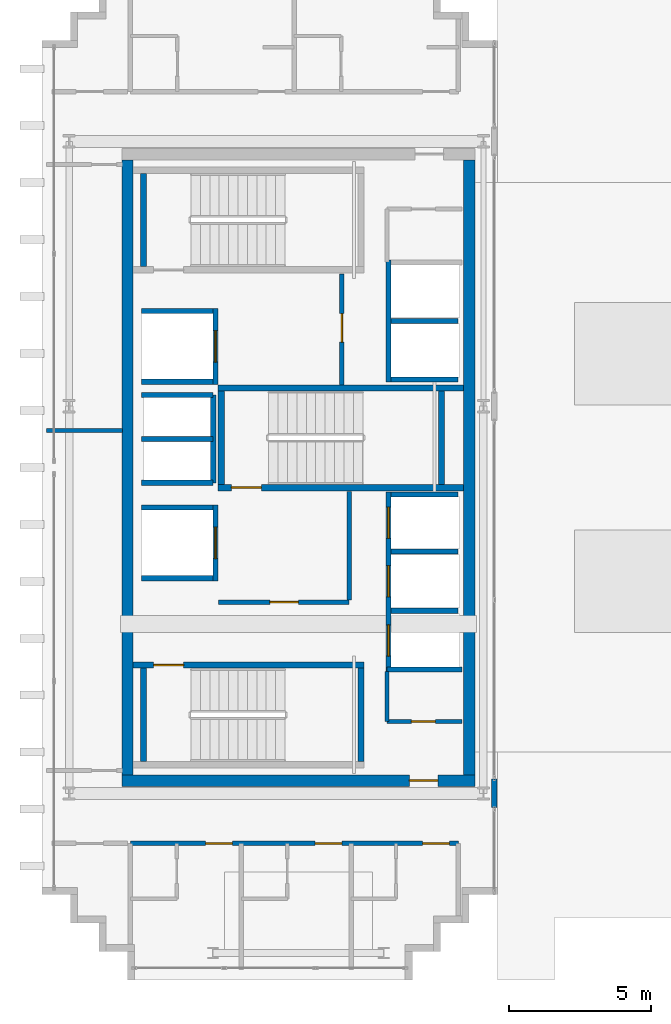
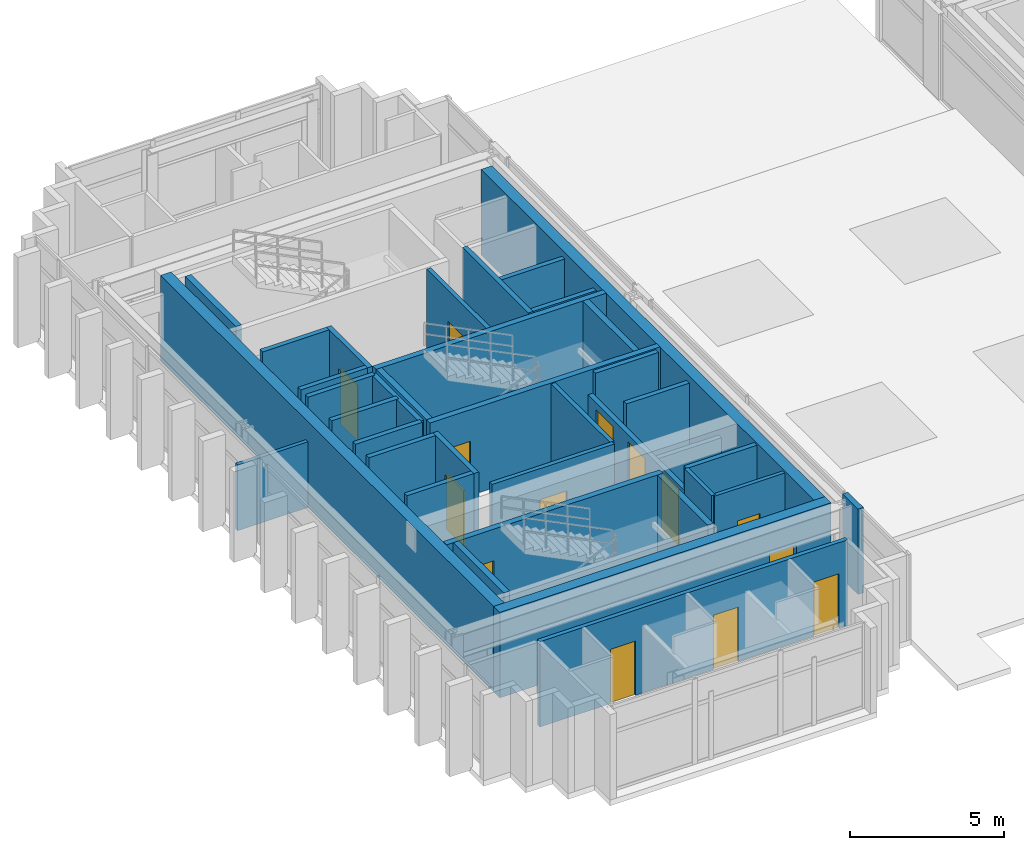
# One storey, part 20 of 25: 37 walls, 14 doors, 14 openings.
"""IFC4 building model written with IfcOpenShell, lengths in metres."""

from ifc_helpers import new_model, si_unit, direction, frame, frame_2d, origin, place, context, subcontext, project, spatial, rectangle, extrude, source, transform, mapped, material, layer, layer_set, type_object, element, fill, save


model = new_model("IFC4")

# Units and contexts
model_context = context("Model", 3, precision=1e-05, world=origin(), true_north=direction((0.0, 1.0)))
body_context = subcontext(model_context, "Body", "Model", "MODEL_VIEW")
ifc_project = project(units=[si_unit("LENGTHUNIT", "METRE"), si_unit("AREAUNIT", "SQUARE_METRE"), si_unit("VOLUMEUNIT", "CUBIC_METRE"), si_unit("PLANEANGLEUNIT", "RADIAN"), si_unit("MASSUNIT", "GRAM", prefix="KILO")], contexts=[model_context])

# Site, building, storey
site_placement = place(None, origin())
site = spatial("IfcSite", under=ifc_project, at=site_placement, CompositionType="ELEMENT")
building_placement = place(site_placement, origin())
building = spatial("IfcBuilding", under=site, at=building_placement, Name="Ocotamira Hotel", CompositionType="ELEMENT")
storey_placement = place(building_placement, frame((0.0, 0.0, 250.800048828125)))
storey = spatial("IfcBuildingStorey", under=building, at=storey_placement, Name="L63", CompositionType="ELEMENT", Elevation=250.800048828125)

# Wall, opening, door
ifc_material_1 = material(Name="Concrete C50/60", Category="concrete")
ifc_layer_1 = layer(ifc_material_1, 0.39990234375)
ifc_layer_set_1 = layer_set([ifc_layer_1], Name="Concrete C50/60")
wall_type_1 = type_object("IfcWallType", Name="WL-CORE-400", PredefinedType="SHEAR", material=ifc_layer_set_1)
wall_1_placement = place(storey_placement, frame((10.800048828125, 15.0, 0.0), z_axis=(0.0, 0.0, 1.0), x_axis=(1.0, 0.0, 0.0)))
wall_1 = element("IfcWall", 1, at=wall_1_placement, inside=storey, type_object=wall_type_1, Name="L63 Shear Core Wall WCORE-S", PredefinedType="SHEAR", context=body_context, shape_type="SweptSolid", body=[
    extrude(rectangle(XDim=12.39990234375, YDim=0.39990234375, at=frame_2d((6.199951171875, 0.0))), origin(), (0.0, 0.0, 1.0), 3.3798828125),
])
opening_1_placement = place(wall_1_placement, frame((10.10009765625, 0.0, 0.0)))
opening_1 = element("IfcOpeningElement", 2, at=opening_1_placement, cuts=wall_1, Name="Opening D-FR2", PredefinedType="OPENING", context=body_context, shape_type="SweptSolid", body=[
    extrude(rectangle(XDim=1.0, YDim=2.14990234375, at=frame_2d((0.5, 1.074951171875))), frame((0.0, 0.2099609375, 0.0), z_axis=(0.0, -1.0, 0.0), x_axis=(1.0, 0.0, 0.0)), (0.0, 0.0, 1.0), 0.419921875),
])
ifc_material_2 = material(Name="Fire-rated acoustic timber-veneer door", Category="wood")
door_type_1 = type_object("IfcDoorType", Name="DR-FIRE-1000", OperationType="NOTDEFINED", PredefinedType="DOOR", material=ifc_material_2)
shared_shape_1 = source(origin(), body_context, "Body", "SweptSolid", [
    extrude(rectangle(XDim=1.0, YDim=2.14990234375, at=frame_2d((0.5, 1.074951171875))), frame((0.0, 0.02490234375, 0.0), z_axis=(0.0, -1.0, 0.0), x_axis=(1.0, 0.0, 0.0)), (0.0, 0.0, 1.0), 0.050048828125),
])
door_1_placement = place(opening_1_placement, origin())
door_1 = element("IfcDoor", 3, at=door_1_placement, inside=storey, type_object=door_type_1, Name="L63 Door ID-L63-WLOB-S-D [ID-L63-WLOB-S-D]", OperationType="SINGLE_SWING_LEFT", OverallHeight=2.14990234375, OverallWidth=1.0, PredefinedType="DOOR", context=body_context, shape_type="MappedRepresentation", body=[
    mapped(shared_shape_1, transform((0.0, 0.0, 0.0), scale=1.0)),
])
fill(opening_1, door_1)

# Walls
for number, where, z_axis, x_axis, name in (
    (4, (11.0, 15.199951171875, 0.0), (0.0, 0.0, 1.0), (0.0, 1.0, 0.0), "L63 Shear Core Wall WCORE-W"),
    (5, (23.0, 15.199951171875, 0.0), (0.0, 0.0, 1.0), (0.0, 1.0, 0.0), "L63 Shear Core Wall WCORE-E"),
):
    element("IfcWall", number, at=place(storey_placement, frame(where, z_axis=z_axis, x_axis=x_axis)), inside=storey, type_object=wall_type_1, Name=name, PredefinedType="SHEAR", context=body_context, shape_type="SweptSolid", body=[
        extrude(rectangle(XDim=21.60009765625, YDim=0.39990234375, at=frame_2d((10.800048828125, 0.0))), origin(), (0.0, 0.0, 1.0), 3.3798828125),
    ])

# Wall, opening, door
ifc_material_3 = material(Name="Acoustic double-layer fire gypsum board partition", Category="gypsum")
ifc_layer_2 = layer(ifc_material_3, 0.159912109375)
ifc_layer_set_2 = layer_set([ifc_layer_2], Name="Acoustic double-layer fire gypsum board partition")
wall_type_2 = type_object("IfcWallType", Name="WL-FIRE-160", PredefinedType="PARTITIONING", material=ifc_layer_set_2)
wall_2_placement = place(storey_placement, frame((14.199951171875, 21.27001953125, 0.0), z_axis=(0.0, 0.0, 1.0), x_axis=(1.0, 0.0, 0.0)))
wall_2 = element("IfcWall", 6, at=wall_2_placement, inside=storey, type_object=wall_type_2, Name="L63 Interior Wall PW-L63-FSAE1-S", PredefinedType="PARTITIONING", context=body_context, shape_type="SweptSolid", body=[
    extrude(rectangle(XDim=4.580078125, YDim=0.159912109375, at=frame_2d((2.2900390625, 0.0))), origin(), (0.0, 0.0, 1.0), 3.3798828125),
])
opening_2_placement = place(wall_2_placement, frame((1.800048828125, 0.0, 0.0)))
opening_2 = element("IfcOpeningElement", 7, at=opening_2_placement, cuts=wall_2, Name="Opening D-FR2", PredefinedType="OPENING", context=body_context, shape_type="SweptSolid", body=[
    extrude(rectangle(XDim=1.0, YDim=2.14990234375, at=frame_2d((0.5, 1.074951171875))), frame((0.0, 0.08984375, 0.0), z_axis=(0.0, -1.0, 0.0), x_axis=(1.0, 0.0, 0.0)), (0.0, 0.0, 1.0), 0.179931640625),
])
door_2_placement = place(opening_2_placement, origin())
door_2 = element("IfcDoor", 8, at=door_2_placement, inside=storey, type_object=door_type_1, Name="L63 Door ID-L63-FSAE1-D [ID-L63-FSAE1-D]", OperationType="SINGLE_SWING_LEFT", OverallHeight=2.14990234375, OverallWidth=1.0, PredefinedType="DOOR", context=body_context, shape_type="MappedRepresentation", body=[
    mapped(shared_shape_1, transform((0.0, 0.0, 0.0), scale=1.0)),
])
fill(opening_2, door_2)

# Wall
wall_3_placement = place(storey_placement, frame((18.780029296875, 21.35009765625, 0.0), z_axis=(0.0, 0.0, 1.0), x_axis=(0.0, 1.0, 0.0)))
element("IfcWall", 9, at=wall_3_placement, inside=storey, type_object=wall_type_2, Name="L63 Interior Wall PW-L63-FSAE1-E", PredefinedType="PARTITIONING", context=body_context, shape_type="SweptSolid", body=[
    extrude(rectangle(XDim=3.809814453125, YDim=0.159912109375, at=frame_2d((1.90478515625, 0.0))), origin(), (0.0, 0.0, 1.0), 3.3798828125),
])

# Wall, opening, door
wall_4_placement = place(storey_placement, frame((18.530029296875, 28.89990234375, 0.0), z_axis=(0.0, 0.0, 1.0), x_axis=(0.0, 1.0, 0.0)))
wall_4 = element("IfcWall", 10, at=wall_4_placement, inside=storey, type_object=wall_type_2, Name="L63 Interior Wall PW-L63-FSAE2-E", PredefinedType="PARTITIONING", context=body_context, shape_type="SweptSolid", body=[
    extrude(rectangle(XDim=3.900146484375, YDim=0.159912109375, at=frame_2d((1.9501953125, 0.0))), origin(), (0.0, 0.0, 1.0), 3.3798828125),
])
opening_3_placement = place(wall_4_placement, frame((1.5, 0.0, 0.0)))
opening_3 = element("IfcOpeningElement", 11, at=opening_3_placement, cuts=wall_4, Name="Opening D-FR2", PredefinedType="OPENING", context=body_context, shape_type="SweptSolid", body=[
    extrude(rectangle(XDim=1.0, YDim=2.14990234375, at=frame_2d((0.5, 1.074951171875))), frame((0.0, 0.08984375, 0.0), z_axis=(0.0, -1.0, 0.0), x_axis=(1.0, 0.0, 0.0)), (0.0, 0.0, 1.0), 0.179931640625),
])
door_3_placement = place(opening_3_placement, origin())
door_3 = element("IfcDoor", 12, at=door_3_placement, inside=storey, type_object=door_type_1, Name="L63 Door ID-L63-FSAE2-D [ID-L63-FSAE2-D]", OperationType="SINGLE_SWING_RIGHT", OverallHeight=2.14990234375, OverallWidth=1.0, PredefinedType="DOOR", context=body_context, shape_type="MappedRepresentation", body=[
    mapped(shared_shape_1, transform((0.0, 0.0, 0.0), scale=1.0)),
])
fill(opening_3, door_3)

# Wall, openings, doors
wall_5_placement = place(storey_placement, frame((11.10009765625, 12.800048828125, 0.0), z_axis=(0.0, 0.0, 1.0), x_axis=(1.0, 0.0, 0.0)))
wall_5 = element("IfcWall", 13, at=wall_5_placement, inside=storey, type_object=wall_type_2, Name="L63 Interior Wall PW-L63-SPW0S-CORRW", PredefinedType="PARTITIONING", context=body_context, shape_type="SweptSolid", body=[
    extrude(rectangle(XDim=11.52001953125, YDim=0.159912109375, at=frame_2d((5.760009765625, 0.0))), origin(), (0.0, 0.0, 1.0), 3.3798828125),
])
opening_4_placement = place(wall_5_placement, frame((2.639892578125, 0.0, 0.0)))
opening_4 = element("IfcOpeningElement", 14, at=opening_4_placement, cuts=wall_5, Name="Opening D-GR1", PredefinedType="OPENING", context=body_context, shape_type="SweptSolid", body=[
    extrude(rectangle(XDim=0.93994140625, YDim=2.14990234375, at=frame_2d((0.469970703125, 1.074951171875))), frame((0.0, 0.08984375, 0.0), z_axis=(0.0, -1.0, 0.0), x_axis=(1.0, 0.0, 0.0)), (0.0, 0.0, 1.0), 0.179931640625),
])
opening_5_placement = place(wall_5_placement, frame((6.489990234375, 0.0, 0.0)))
opening_5 = element("IfcOpeningElement", 15, at=opening_5_placement, cuts=wall_5, Name="Opening D-GR1", PredefinedType="OPENING", context=body_context, shape_type="SweptSolid", body=[
    extrude(rectangle(XDim=0.93994140625, YDim=2.14990234375, at=frame_2d((0.469970703125, 1.074951171875))), frame((0.0, 0.08984375, 0.0), z_axis=(0.0, -1.0, 0.0), x_axis=(1.0, 0.0, 0.0)), (0.0, 0.0, 1.0), 0.179931640625),
])
opening_6_placement = place(wall_5_placement, frame((10.260009765625, 0.0, 0.0)))
opening_6 = element("IfcOpeningElement", 16, at=opening_6_placement, cuts=wall_5, Name="Opening D-GR1", PredefinedType="OPENING", context=body_context, shape_type="SweptSolid", body=[
    extrude(rectangle(XDim=0.93994140625, YDim=2.14990234375, at=frame_2d((0.469970703125, 1.074951171875))), frame((0.0, 0.08984375, 0.0), z_axis=(0.0, -1.0, 0.0), x_axis=(1.0, 0.0, 0.0)), (0.0, 0.0, 1.0), 0.179931640625),
])
ifc_material_4 = material(Name="Solid-core walnut suite entrance fire door", Category="wood")
door_type_2 = type_object("IfcDoorType", Name="DR-GUEST-940", OperationType="NOTDEFINED", PredefinedType="DOOR", material=ifc_material_4)
shared_shape_2 = source(origin(), body_context, "Body", "SweptSolid", [
    extrude(rectangle(XDim=0.93994140625, YDim=2.14990234375, at=frame_2d((0.469970703125, 1.074951171875))), frame((0.0, 0.02490234375, 0.0), z_axis=(0.0, -1.0, 0.0), x_axis=(1.0, 0.0, 0.0)), (0.0, 0.0, 1.0), 0.050048828125),
])
door_4_placement = place(opening_4_placement, origin())
door_4 = element("IfcDoor", 17, at=door_4_placement, inside=storey, type_object=door_type_2, Name="L63 Door ID-L63-SPW0S-RMD1 [ID-L63-SPW0S-RMD1]", OperationType="SINGLE_SWING_LEFT", OverallHeight=2.14990234375, OverallWidth=0.93994140625, PredefinedType="DOOR", context=body_context, shape_type="MappedRepresentation", body=[
    mapped(shared_shape_2, transform((0.0, 0.0, 0.0), scale=1.0)),
])
fill(opening_4, door_4)
door_5_placement = place(opening_5_placement, origin())
door_5 = element("IfcDoor", 18, at=door_5_placement, inside=storey, type_object=door_type_2, Name="L63 Door ID-L63-SPW0S-RMD2 [ID-L63-SPW0S-RMD2]", OperationType="SINGLE_SWING_RIGHT", OverallHeight=2.14990234375, OverallWidth=0.93994140625, PredefinedType="DOOR", context=body_context, shape_type="MappedRepresentation", body=[
    mapped(shared_shape_2, transform((0.0, 0.0, 0.0), scale=1.0)),
])
fill(opening_5, door_5)
door_6_placement = place(opening_6_placement, origin())
door_6 = element("IfcDoor", 19, at=door_6_placement, inside=storey, type_object=door_type_2, Name="L63 Door ID-L63-SPW0S-RMD3 [ID-L63-SPW0S-RMD3]", OperationType="SINGLE_SWING_LEFT", OverallHeight=2.14990234375, OverallWidth=0.93994140625, PredefinedType="DOOR", context=body_context, shape_type="MappedRepresentation", body=[
    mapped(shared_shape_2, transform((0.0, 0.0, 0.0), scale=1.0)),
])
fill(opening_6, door_6)

# Walls
ifc_material_5 = material(Name="Precast concrete C45/55", Category="concrete")
ifc_layer_3 = layer(ifc_material_5, 0.219970703125)
ifc_layer_set_3 = layer_set([ifc_layer_3], Name="Precast concrete C45/55")
wall_type_3 = type_object("IfcWallType", Name="WL-PARA-220", PredefinedType="PARAPET", material=ifc_layer_set_3)
wall_6_placement = place(storey_placement, frame((23.8798828125, 14.050048828125, 0.0), z_axis=(0.0, 0.0, 1.0), x_axis=(0.0, 1.0, 0.0)))
element("IfcWall", 20, at=wall_6_placement, inside=storey, type_object=wall_type_3, Name="L63 Split-Wing Column Spandrel Closure W1", PredefinedType="PARAPET", context=body_context, shape_type="SweptSolid", body=[
    extrude(rectangle(XDim=1.0, YDim=0.199951171875, at=frame_2d((0.5, 0.0))), origin(), (0.0, 0.0, 1.0), 3.3798828125),
])
ifc_material_6 = material(Name="Acoustic hospitality gypsum board partition", Category="gypsum")
ifc_layer_4 = layer(ifc_material_6, 0.14208984375)
ifc_layer_set_4 = layer_set([ifc_layer_4], Name="Acoustic hospitality gypsum board partition")
wall_type_4 = type_object("IfcWallType", Name="WL-PART-142", PredefinedType="PARTITIONING", material=ifc_layer_set_4)
wall_7_placement = place(storey_placement, frame((20.1201171875, 17.080078125, 0.0), z_axis=(0.0, 0.0, 1.0), x_axis=(0.0, 1.0, 0.0)))
element("IfcWall", 21, at=wall_7_placement, inside=storey, type_object=wall_type_4, Name="L63 Interior Wall PW-L63-WC-SE-W2", PredefinedType="PARTITIONING", context=body_context, shape_type="SweptSolid", body=[
    extrude(rectangle(XDim=1.760009765625, YDim=0.14208984375, at=frame_2d((0.8798828125, 0.0))), origin(), (0.0, 0.0, 1.0), 3.3798828125),
])

# Wall, opening, door
wall_8_placement = place(storey_placement, frame((20.1201171875, 17.080078125, 0.0), z_axis=(0.0, 0.0, 1.0), x_axis=(1.0, 0.0, 0.0)))
wall_8 = element("IfcWall", 22, at=wall_8_placement, inside=storey, type_object=wall_type_4, Name="L63 Interior Wall PW-L63-WC-SE-S2", PredefinedType="PARTITIONING", context=body_context, shape_type="SweptSolid", body=[
    extrude(rectangle(XDim=2.6298828125, YDim=0.14208984375, at=frame_2d((1.31494140625, 0.0))), origin(), (0.0, 0.0, 1.0), 3.3798828125),
])
opening_7_placement = place(wall_8_placement, frame((0.85009765625, 0.0, 0.0)))
opening_7 = element("IfcOpeningElement", 23, at=opening_7_placement, cuts=wall_8, Name="Opening D-SV1", PredefinedType="OPENING", context=body_context, shape_type="SweptSolid", body=[
    extrude(rectangle(XDim=0.840087890625, YDim=2.10009765625, at=frame_2d((0.419921875, 1.050048828125))), frame((0.0, 0.0810546875, 0.0), z_axis=(0.0, -1.0, 0.0), x_axis=(1.0, 0.0, 0.0)), (0.0, 0.0, 1.0), 0.162109375),
])
ifc_material_7 = material(Name="Fire-rated painted steel service door", Category="steel")
door_type_3 = type_object("IfcDoorType", Name="DR-SERV-840", OperationType="NOTDEFINED", PredefinedType="DOOR", material=ifc_material_7)
shared_shape_3 = source(origin(), body_context, "Body", "SweptSolid", [
    extrude(rectangle(XDim=0.840087890625, YDim=2.10009765625, at=frame_2d((0.419921875, 1.050048828125))), frame((0.0, 0.02490234375, 0.0), z_axis=(0.0, -1.0, 0.0), x_axis=(1.0, 0.0, 0.0)), (0.0, 0.0, 1.0), 0.050048828125),
])
door_7_placement = place(opening_7_placement, origin())
door_7 = element("IfcDoor", 24, at=door_7_placement, inside=storey, type_object=door_type_3, Name="L63 Door ID-L63-WC-SE-D2 [ID-L63-WC-SE-D2]", OperationType="SINGLE_SWING_LEFT", OverallHeight=2.10009765625, OverallWidth=0.840087890625, PredefinedType="DOOR", context=body_context, shape_type="MappedRepresentation", body=[
    mapped(shared_shape_3, transform((0.0, 0.0, 0.0), scale=1.0)),
])
fill(opening_7, door_7)

# Wall
wall_9_placement = place(storey_placement, frame((8.159912109375, 27.300048828125, 0.0), z_axis=(0.0, 0.0, 1.0), x_axis=(1.0, 0.0, 0.0)))
element("IfcWall", 25, at=wall_9_placement, inside=storey, type_object=wall_type_4, Name="L63 Interior Wall PW-L63-SP0W-DV1", PredefinedType="PARTITIONING", context=body_context, shape_type="SweptSolid", body=[
    extrude(rectangle(XDim=2.66015625, YDim=0.14208984375, at=frame_2d((1.330078125, 0.0))), origin(), (0.0, 0.0, 1.0), 2.600830078125),
])

# Wall, openings, doors
ifc_material_8 = material(Name="Fire-rated gypsum shaftliner board assembly", Category="gypsum")
ifc_layer_5 = layer(ifc_material_8, 0.179931640625)
ifc_layer_set_5 = layer_set([ifc_layer_5], Name="Fire-rated gypsum shaftliner board assembly")
wall_type_5 = type_object("IfcWallType", Name="WL-SHAFT-180", PredefinedType="SOLIDWALL", material=ifc_layer_set_5)
wall_10_placement = place(storey_placement, frame((20.159912109375, 18.820068359375, 0.0), z_axis=(0.0, 0.0, 1.0), x_axis=(0.0, 1.0, 0.0)))
wall_10 = element("IfcWall", 26, at=wall_10_placement, inside=storey, type_object=wall_type_5, Name="L63 Interior Wall PW-L63-LFW-BANK-high-F", PredefinedType="SOLIDWALL", context=body_context, shape_type="SweptSolid", body=[
    extrude(rectangle(XDim=6.31982421875, YDim=0.179931640625, at=frame_2d((3.159912109375, 0.0))), origin(), (0.0, 0.0, 1.0), 2.47998046875),
])
opening_8_placement = place(wall_10_placement, frame((0.554931640625, 0.0, 0.0)))
opening_8 = element("IfcOpeningElement", 27, at=opening_8_placement, cuts=wall_10, Name="Opening LD-LF-P7", PredefinedType="OPENING", context=body_context, shape_type="SweptSolid", body=[
    extrude(rectangle(XDim=1.10009765625, YDim=2.199951171875, at=frame_2d((0.550048828125, 1.10009765625))), frame((0.0, 0.10009765625, 0.0), z_axis=(0.0, -1.0, 0.0), x_axis=(1.0, 0.0, 0.0)), (0.0, 0.0, 1.0), 0.199951171875),
])
opening_9_placement = place(wall_10_placement, frame((2.635009765625, 0.0, 0.0)))
opening_9 = element("IfcOpeningElement", 28, at=opening_9_placement, cuts=wall_10, Name="Opening LD-LF-P8", PredefinedType="OPENING", context=body_context, shape_type="SweptSolid", body=[
    extrude(rectangle(XDim=1.10009765625, YDim=2.199951171875, at=frame_2d((0.550048828125, 1.10009765625))), frame((0.0, 0.10009765625, 0.0), z_axis=(0.0, -1.0, 0.0), x_axis=(1.0, 0.0, 0.0)), (0.0, 0.0, 1.0), 0.199951171875),
])
opening_10_placement = place(wall_10_placement, frame((4.68994140625, 0.0, 0.0)))
opening_10 = element("IfcOpeningElement", 29, at=opening_10_placement, cuts=wall_10, Name="Opening LD-LF-P9", PredefinedType="OPENING", context=body_context, shape_type="SweptSolid", body=[
    extrude(rectangle(XDim=1.10009765625, YDim=2.199951171875, at=frame_2d((0.550048828125, 1.10009765625))), frame((0.0, 0.10009765625, 0.0), z_axis=(0.0, -1.0, 0.0), x_axis=(1.0, 0.0, 0.0)), (0.0, 0.0, 1.0), 0.199951171875),
])
ifc_material_9 = material(Name="Brushed pale-metal stainless elevator landing door", Category="steel")
door_type_4 = type_object("IfcDoorType", Name="DR-LIFT-1100", OperationType="NOTDEFINED", PredefinedType="DOOR", material=ifc_material_9)
shared_shape_4 = source(origin(), body_context, "Body", "SweptSolid", [
    extrude(rectangle(XDim=1.10009765625, YDim=2.199951171875, at=frame_2d((0.550048828125, 1.10009765625))), frame((0.0, 0.02490234375, 0.0), z_axis=(0.0, -1.0, 0.0), x_axis=(1.0, 0.0, 0.0)), (0.0, 0.0, 1.0), 0.050048828125),
])
door_8_placement = place(opening_8_placement, origin())
door_8 = element("IfcDoor", 30, at=door_8_placement, inside=storey, type_object=door_type_4, Name="L63 Landing Door LD-LF-P7 [ID-L63-LD-LF-P7]", OperationType="DOUBLE_DOOR_SLIDING", OverallHeight=2.199951171875, OverallWidth=1.10009765625, PredefinedType="DOOR", context=body_context, shape_type="MappedRepresentation", body=[
    mapped(shared_shape_4, transform((0.0, 0.0, 0.0), scale=1.0)),
])
fill(opening_8, door_8)
door_9_placement = place(opening_9_placement, origin())
door_9 = element("IfcDoor", 31, at=door_9_placement, inside=storey, type_object=door_type_4, Name="L63 Landing Door LD-LF-P8 [ID-L63-LD-LF-P8]", OperationType="DOUBLE_DOOR_SLIDING", OverallHeight=2.199951171875, OverallWidth=1.10009765625, PredefinedType="DOOR", context=body_context, shape_type="MappedRepresentation", body=[
    mapped(shared_shape_4, transform((0.0, 0.0, 0.0), scale=1.0)),
])
fill(opening_9, door_9)
door_10_placement = place(opening_10_placement, origin())
door_10 = element("IfcDoor", 32, at=door_10_placement, inside=storey, type_object=door_type_4, Name="L63 Landing Door LD-LF-P9 [ID-L63-LD-LF-P9]", OperationType="DOUBLE_DOOR_SLIDING", OverallHeight=2.199951171875, OverallWidth=1.10009765625, PredefinedType="DOOR", context=body_context, shape_type="MappedRepresentation", body=[
    mapped(shared_shape_4, transform((0.0, 0.0, 0.0), scale=1.0)),
])
fill(opening_10, door_10)

# Walls
wall_11_placement = place(storey_placement, frame((20.1201171875, 18.909912109375, 0.0), z_axis=(0.0, 0.0, 1.0), x_axis=(1.0, 0.0, 0.0)))
element("IfcWall", 33, at=wall_11_placement, inside=storey, type_object=wall_type_5, Name="L63 Interior Wall PW-L63-LFW-BANK-high-S", PredefinedType="SOLIDWALL", context=body_context, shape_type="SweptSolid", body=[
    extrude(rectangle(XDim=2.6298828125, YDim=0.179931640625, at=frame_2d((1.31494140625, 0.0))), origin(), (0.0, 0.0, 1.0), 3.3798828125),
])
wall_12_placement = place(storey_placement, frame((20.25, 25.050048828125, 0.0), z_axis=(0.0, 0.0, 1.0), x_axis=(1.0, 0.0, 0.0)))
element("IfcWall", 34, at=wall_12_placement, inside=storey, type_object=wall_type_5, Name="L63 Interior Wall PW-L63-LFW-BANK-high-N", PredefinedType="SOLIDWALL", context=body_context, shape_type="SweptSolid", body=[
    extrude(rectangle(XDim=2.360107421875, YDim=0.179931640625, at=frame_2d((1.18017578125, 0.0))), origin(), (0.0, 0.0, 1.0), 3.3798828125),
])
wall_13_placement = place(storey_placement, frame((20.25, 20.965087890625, 0.0), z_axis=(0.0, 0.0, 1.0), x_axis=(1.0, 0.0, 0.0)))
element("IfcWall", 35, at=wall_13_placement, inside=storey, type_object=wall_type_5, Name="L63 Interior Wall PW-L63-LFW-DIV-LF-P7", PredefinedType="SOLIDWALL", context=body_context, shape_type="SweptSolid", body=[
    extrude(rectangle(XDim=2.360107421875, YDim=0.179931640625, at=frame_2d((1.18017578125, 0.0))), origin(), (0.0, 0.0, 1.0), 2.47998046875),
])
wall_14_placement = place(storey_placement, frame((20.25, 23.044921875, 0.0), z_axis=(0.0, 0.0, 1.0), x_axis=(1.0, 0.0, 0.0)))
element("IfcWall", 36, at=wall_14_placement, inside=storey, type_object=wall_type_5, Name="L63 Interior Wall PW-L63-LFW-DIV-LF-P8", PredefinedType="SOLIDWALL", context=body_context, shape_type="SweptSolid", body=[
    extrude(rectangle(XDim=2.360107421875, YDim=0.179931640625, at=frame_2d((1.18017578125, 0.0))), origin(), (0.0, 0.0, 1.0), 3.3798828125),
])
wall_15_placement = place(storey_placement, frame((20.159912109375, 29.0, 0.0), z_axis=(0.0, 0.0, 1.0), x_axis=(0.0, 1.0, 0.0)))
element("IfcWall", 37, at=wall_15_placement, inside=storey, type_object=wall_type_5, Name="L63 Interior Wall PW-L63-LFW-BANK-obs-F", PredefinedType="SOLIDWALL", context=body_context, shape_type="SweptSolid", body=[
    extrude(rectangle(XDim=4.2900390625, YDim=0.179931640625, at=frame_2d((2.14501953125, 0.0))), origin(), (0.0, 0.0, 1.0), 3.3798828125),
])
for number, where, z_axis, x_axis, name in (
    (38, (20.25, 29.090087890625, 0.0), (0.0, 0.0, 1.0), (1.0, 0.0, 0.0), "L63 Interior Wall PW-L63-LFW-BANK-obs-S"),
    (39, (20.25, 31.14501953125, 0.0), (0.0, 0.0, 1.0), (1.0, 0.0, 0.0), "L63 Interior Wall PW-L63-LFW-DIV-LF-OBS1"),
):
    element("IfcWall", number, at=place(storey_placement, frame(where, z_axis=z_axis, x_axis=x_axis)), inside=storey, type_object=wall_type_5, Name=name, PredefinedType="SOLIDWALL", context=body_context, shape_type="SweptSolid", body=[
        extrude(rectangle(XDim=2.360107421875, YDim=0.179931640625, at=frame_2d((1.18017578125, 0.0))), origin(), (0.0, 0.0, 1.0), 3.3798828125),
    ])
for number, where, z_axis, x_axis, name in (
    (40, (11.5, 22.110107421875, 0.0), (0.0, 0.0, 1.0), (1.0, 0.0, 0.0), "L63 Interior Wall PW-L63-LFW-LF-FSAE1-S"),
    (41, (11.5, 24.590087890625, 0.0), (0.0, 0.0, 1.0), (1.0, 0.0, 0.0), "L63 Interior Wall PW-L63-LFW-LF-FSAE1-N"),
):
    element("IfcWall", number, at=place(storey_placement, frame(where, z_axis=z_axis, x_axis=x_axis)), inside=storey, type_object=wall_type_5, Name=name, PredefinedType="SOLIDWALL", context=body_context, shape_type="SweptSolid", body=[
        extrude(rectangle(XDim=2.5, YDim=0.179931640625, at=frame_2d((1.25, 0.0))), origin(), (0.0, 0.0, 1.0), 3.3798828125),
    ])

# Wall, opening, door
wall_16_placement = place(storey_placement, frame((14.090087890625, 22.02001953125, 0.0), z_axis=(0.0, 0.0, 1.0), x_axis=(0.0, 1.0, 0.0)))
wall_16 = element("IfcWall", 42, at=wall_16_placement, inside=storey, type_object=wall_type_5, Name="L63 Interior Wall PW-L63-LFW-LF-FSAE1-E", PredefinedType="SOLIDWALL", context=body_context, shape_type="SweptSolid", body=[
    extrude(rectangle(XDim=2.659912109375, YDim=0.179931640625, at=frame_2d((1.330078125, 0.0))), origin(), (0.0, 0.0, 1.0), 3.3798828125),
])
opening_11_placement = place(wall_16_placement, frame((0.780029296875, 0.0, 0.0)))
opening_11 = element("IfcOpeningElement", 43, at=opening_11_placement, cuts=wall_16, Name="Opening LD-LF-FSAE1", PredefinedType="OPENING", context=body_context, shape_type="SweptSolid", body=[
    extrude(rectangle(XDim=1.10009765625, YDim=2.199951171875, at=frame_2d((0.550048828125, 1.10009765625))), frame((0.0, 0.10009765625, 0.0), z_axis=(0.0, -1.0, 0.0), x_axis=(1.0, 0.0, 0.0)), (0.0, 0.0, 1.0), 0.199951171875),
])
door_11_placement = place(opening_11_placement, origin())
door_11 = element("IfcDoor", 44, at=door_11_placement, inside=storey, type_object=door_type_4, Name="L63 Landing Door LD-LF-FSAE1 [ID-L63-LD-LF-FSAE1]", OperationType="DOUBLE_DOOR_SLIDING", OverallHeight=2.199951171875, OverallWidth=1.10009765625, PredefinedType="DOOR", context=body_context, shape_type="MappedRepresentation", body=[
    mapped(shared_shape_4, transform((0.0, 0.0, 0.0), scale=1.0)),
])
fill(opening_11, door_11)

# Walls
for number, where, z_axis, x_axis, name in (
    (45, (11.5, 29.010009765625, 0.0), (0.0, 0.0, 1.0), (1.0, 0.0, 0.0), "L63 Interior Wall PW-L63-LFW-LF-FSAE2-S"),
    (46, (11.5, 31.489990234375, 0.0), (0.0, 0.0, 1.0), (1.0, 0.0, 0.0), "L63 Interior Wall PW-L63-LFW-LF-FSAE2-N"),
):
    element("IfcWall", number, at=place(storey_placement, frame(where, z_axis=z_axis, x_axis=x_axis)), inside=storey, type_object=wall_type_5, Name=name, PredefinedType="SOLIDWALL", context=body_context, shape_type="SweptSolid", body=[
        extrude(rectangle(XDim=2.5, YDim=0.179931640625, at=frame_2d((1.25, 0.0))), origin(), (0.0, 0.0, 1.0), 3.3798828125),
    ])

# Wall, opening, door
wall_17_placement = place(storey_placement, frame((14.090087890625, 28.919921875, 0.0), z_axis=(0.0, 0.0, 1.0), x_axis=(0.0, 1.0, 0.0)))
wall_17 = element("IfcWall", 47, at=wall_17_placement, inside=storey, type_object=wall_type_5, Name="L63 Interior Wall PW-L63-LFW-LF-FSAE2-E", PredefinedType="SOLIDWALL", context=body_context, shape_type="SweptSolid", body=[
    extrude(rectangle(XDim=2.66015625, YDim=0.179931640625, at=frame_2d((1.330078125, 0.0))), origin(), (0.0, 0.0, 1.0), 3.3798828125),
])
opening_12_placement = place(wall_17_placement, frame((0.780029296875, 0.0, 0.0)))
opening_12 = element("IfcOpeningElement", 48, at=opening_12_placement, cuts=wall_17, Name="Opening LD-LF-FSAE2", PredefinedType="OPENING", context=body_context, shape_type="SweptSolid", body=[
    extrude(rectangle(XDim=1.10009765625, YDim=2.199951171875, at=frame_2d((0.550048828125, 1.10009765625))), frame((0.0, 0.10009765625, 0.0), z_axis=(0.0, -1.0, 0.0), x_axis=(1.0, 0.0, 0.0)), (0.0, 0.0, 1.0), 0.199951171875),
])
door_12_placement = place(opening_12_placement, origin())
door_12 = element("IfcDoor", 49, at=door_12_placement, inside=storey, type_object=door_type_4, Name="L63 Landing Door LD-LF-FSAE2 [ID-L63-LD-LF-FSAE2]", OperationType="DOUBLE_DOOR_SLIDING", OverallHeight=2.199951171875, OverallWidth=1.10009765625, PredefinedType="DOOR", context=body_context, shape_type="MappedRepresentation", body=[
    mapped(shared_shape_4, transform((0.0, 0.0, 0.0), scale=1.0)),
])
fill(opening_12, door_12)

# Walls
for number, where, z_axis, x_axis, name in (
    (50, (11.5, 25.4599609375, 0.0), (0.0, 0.0, 1.0), (1.0, 0.0, 0.0), "L63 Interior Wall PW-L63-RSW-S"),
    (51, (11.5, 27.0, 0.0), (0.0, 0.0, 1.0), (1.0, 0.0, 0.0), "L63 Interior Wall PW-L63-RSW-MID"),
    (52, (11.5, 28.5400390625, 0.0), (0.0, 0.0, 1.0), (1.0, 0.0, 0.0), "L63 Interior Wall PW-L63-RSW-N"),
):
    element("IfcWall", number, at=place(storey_placement, frame(where, z_axis=z_axis, x_axis=x_axis)), inside=storey, type_object=wall_type_5, Name=name, PredefinedType="SOLIDWALL", context=body_context, shape_type="SweptSolid", body=[
        extrude(rectangle(XDim=2.510009765625, YDim=0.179931640625, at=frame_2d((1.2548828125, 0.0))), origin(), (0.0, 0.0, 1.0), 3.3798828125),
    ])
wall_18_placement = place(storey_placement, frame((14.010009765625, 25.4599609375, 0.0), z_axis=(0.0, 0.0, 1.0), x_axis=(0.0, 1.0, 0.0)))
element("IfcWall", 53, at=wall_18_placement, inside=storey, type_object=wall_type_5, Name="L63 Interior Wall PW-L63-RSW-E", PredefinedType="SOLIDWALL", context=body_context, shape_type="SweptSolid", body=[
    extrude(rectangle(XDim=3.080078125, YDim=0.179931640625, at=frame_2d((1.5400390625, 0.0))), origin(), (0.0, 0.0, 1.0), 3.3798828125),
])

# Wall, opening, door
ifc_layer_6 = layer(ifc_material_1, 0.219970703125)
ifc_layer_set_6 = layer_set([ifc_layer_6], Name="Concrete C50/60")
wall_type_6 = type_object("IfcWallType", Name="WL-STAIR-220", PredefinedType="SHEAR", material=ifc_layer_set_6)
wall_19_placement = place(storey_placement, frame((11.199951171875, 19.06005859375, 0.0), z_axis=(0.0, 0.0, 1.0), x_axis=(1.0, 0.0, 0.0)))
wall_19 = element("IfcWall", 54, at=wall_19_placement, inside=storey, type_object=wall_type_6, Name="L63 Stair Shaft Structural Wall ST-1-N", PredefinedType="SHEAR", context=body_context, shape_type="SweptSolid", body=[
    extrude(rectangle(XDim=8.110107421875, YDim=0.219970703125, at=frame_2d((4.05517578125, 0.0))), origin(), (0.0, 0.0, 1.0), 3.39990234375),
])
opening_13_placement = place(wall_19_placement, frame((0.719970703125, 0.0, 0.0)))
opening_13 = element("IfcOpeningElement", 55, at=opening_13_placement, cuts=wall_19, Name="Opening D-ST2", PredefinedType="OPENING", context=body_context, shape_type="SweptSolid", body=[
    extrude(rectangle(XDim=1.050048828125, YDim=2.14990234375, at=frame_2d((0.52490234375, 1.074951171875))), frame((0.0, 0.1201171875, 0.0), z_axis=(0.0, -1.0, 0.0), x_axis=(1.0, 0.0, 0.0)), (0.0, 0.0, 1.0), 0.239990234375),
])
ifc_material_10 = material(Name="Insulated painted hollow-metal fire exit door", Category="steel")
door_type_5 = type_object("IfcDoorType", Name="DR-STAIR-1050", OperationType="NOTDEFINED", PredefinedType="DOOR", material=ifc_material_10)
shared_shape_5 = source(origin(), body_context, "Body", "SweptSolid", [
    extrude(rectangle(XDim=1.050048828125, YDim=2.14990234375, at=frame_2d((0.52490234375, 1.074951171875))), frame((0.0, 0.02490234375, 0.0), z_axis=(0.0, -1.0, 0.0), x_axis=(1.0, 0.0, 0.0)), (0.0, 0.0, 1.0), 0.050048828125),
])
door_13_placement = place(opening_13_placement, origin())
door_13 = element("IfcDoor", 56, at=door_13_placement, inside=storey, type_object=door_type_5, Name="L63 Door ID-L63-STD-ST-1 [ID-L63-STD-ST-1]", OperationType="SINGLE_SWING_RIGHT", OverallHeight=2.14990234375, OverallWidth=1.050048828125, PredefinedType="DOOR", context=body_context, shape_type="MappedRepresentation", body=[
    mapped(shared_shape_5, transform((0.0, 0.0, 0.0), scale=1.0)),
])
fill(opening_13, door_13)

# Walls
for number, where, z_axis, x_axis, name in (
    (57, (11.56005859375, 15.669921875, 0.0), (0.0, 0.0, 1.0), (0.0, 1.0, 0.0), "L63 Stair Shaft Structural Wall ST-1-W"),
    (58, (19.199951171875, 15.669921875, 0.0), (0.0, 0.0, 1.0), (0.0, 1.0, 0.0), "L63 Stair Shaft Structural Wall ST-1-E"),
    (59, (11.56005859375, 33.050048828125, 0.0), (0.0, 0.0, 1.0), (0.0, 1.0, 0.0), "L63 Stair Shaft Structural Wall ST-2-W"),
):
    element("IfcWall", number, at=place(storey_placement, frame(where, z_axis=z_axis, x_axis=x_axis)), inside=storey, type_object=wall_type_6, Name=name, PredefinedType="SHEAR", context=body_context, shape_type="SweptSolid", body=[
        extrude(rectangle(XDim=3.280029296875, YDim=0.219970703125, at=frame_2d((1.64013671875, 0.0))), origin(), (0.0, 0.0, 1.0), 3.39990234375),
    ])

# Wall, opening, door
wall_20_placement = place(storey_placement, frame((14.179931640625, 25.2900390625, 0.0), z_axis=(0.0, 0.0, 1.0), x_axis=(1.0, 0.0, 0.0)))
wall_20 = element("IfcWall", 60, at=wall_20_placement, inside=storey, type_object=wall_type_6, Name="L63 Stair Shaft Structural Wall ST-3-S", PredefinedType="SHEAR", context=body_context, shape_type="SweptSolid", body=[
    extrude(rectangle(XDim=8.6201171875, YDim=0.219970703125, at=frame_2d((4.31005859375, 0.0))), origin(), (0.0, 0.0, 1.0), 3.39990234375),
])
opening_14_placement = place(wall_20_placement, frame((0.469970703125, 0.0, 0.0)))
opening_14 = element("IfcOpeningElement", 61, at=opening_14_placement, cuts=wall_20, Name="Opening D-ST2", PredefinedType="OPENING", context=body_context, shape_type="SweptSolid", body=[
    extrude(rectangle(XDim=1.050048828125, YDim=2.14990234375, at=frame_2d((0.52490234375, 1.074951171875))), frame((0.0, 0.1201171875, 0.0), z_axis=(0.0, -1.0, 0.0), x_axis=(1.0, 0.0, 0.0)), (0.0, 0.0, 1.0), 0.239990234375),
])
door_14_placement = place(opening_14_placement, origin())
door_14 = element("IfcDoor", 62, at=door_14_placement, inside=storey, type_object=door_type_5, Name="L63 Door ID-L63-STD-ST-3 [ID-L63-STD-ST-3]", OperationType="SINGLE_SWING_RIGHT", OverallHeight=2.14990234375, OverallWidth=1.050048828125, PredefinedType="DOOR", context=body_context, shape_type="MappedRepresentation", body=[
    mapped(shared_shape_5, transform((0.0, 0.0, 0.0), scale=1.0)),
])
fill(opening_14, door_14)

# Walls
wall_21_placement = place(storey_placement, frame((14.179931640625, 28.7900390625, 0.0), z_axis=(0.0, 0.0, 1.0), x_axis=(1.0, 0.0, 0.0)))
element("IfcWall", 63, at=wall_21_placement, inside=storey, type_object=wall_type_6, Name="L63 Stair Shaft Structural Wall ST-3-N", PredefinedType="SHEAR", context=body_context, shape_type="SweptSolid", body=[
    extrude(rectangle(XDim=8.6201171875, YDim=0.219970703125, at=frame_2d((4.31005859375, 0.0))), origin(), (0.0, 0.0, 1.0), 3.39990234375),
])
for number, where, z_axis, x_axis, name in (
    (64, (14.2900390625, 25.39990234375, 0.0), (0.0, 0.0, 1.0), (0.0, 1.0, 0.0), "L63 Stair Shaft Structural Wall ST-3-W"),
    (65, (22.030029296875, 25.39990234375, 0.0), (0.0, 0.0, 1.0), (0.0, 1.0, 0.0), "L63 Stair Shaft Structural Wall ST-3-E"),
):
    element("IfcWall", number, at=place(storey_placement, frame(where, z_axis=z_axis, x_axis=x_axis)), inside=storey, type_object=wall_type_6, Name=name, PredefinedType="SHEAR", context=body_context, shape_type="SweptSolid", body=[
        extrude(rectangle(XDim=3.280029296875, YDim=0.219970703125, at=frame_2d((1.64013671875, 0.0))), origin(), (0.0, 0.0, 1.0), 3.39990234375),
    ])

save(model, "model.ifc")
